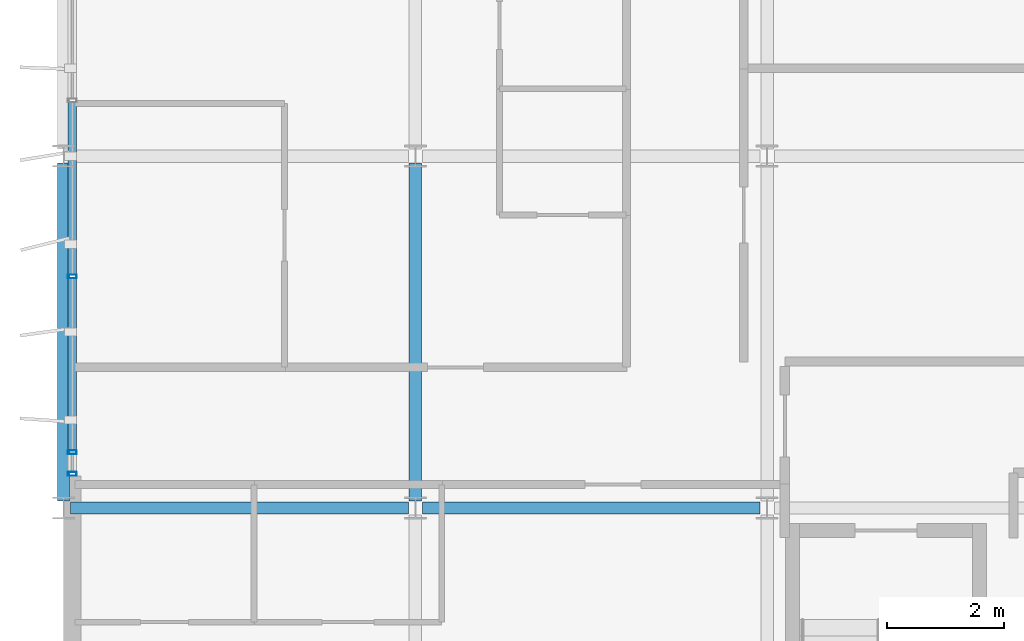
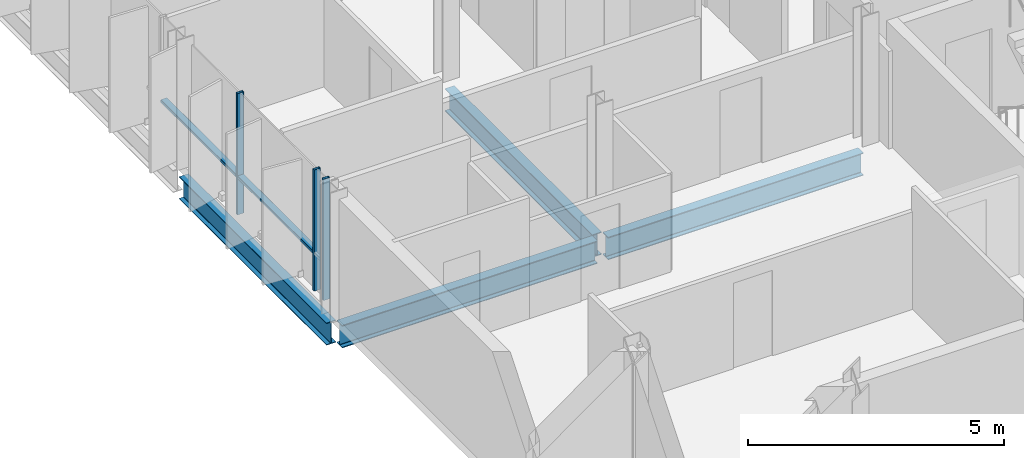
# One storey, part 4 of 30: 5 members, 4 beams, 1 element without a shape of its own.
"""IFC4 building model written with IfcOpenShell, lengths in metres."""

import ifcopenshell
import ifcopenshell.guid

model = None  # the IFC model being written
_history = None  # IfcOwnerHistory: only IFC2X3 demands one
_inside = {}  # id of a spatial element -> (the spatial element, [elements in it])
_under = {}  # id of a project, library or spatial element -> (it, [spatial elements below it])
_declared = {}  # id of a project -> (the project, [libraries it declares])
_typed = {}  # id of a type object -> (the type object, [elements of that type])
_made_of = {}  # id of a material, layer set ... -> (it, [elements and type objects made of it])


def new_model(schema):
    """Start an empty IFC model of exactly this schema.

    Asked for "IFC4X3", IfcOpenShell would pick the latest addendum, in which some entities
    have other attributes; the version numbers below select the first issue.
    IFC2X3 requires an IfcOwnerHistory on every rooted entity: one is made here for all.
    """
    global model, _history
    if schema == "IFC4X3":
        model = ifcopenshell.file(schema_version=(4, 3, 0, 0))
    else:
        model = ifcopenshell.file(schema=schema)
    _inside.clear()
    _under.clear()
    _declared.clear()
    _typed.clear()
    _made_of.clear()
    _history = None
    if model.schema == "IFC2X3":
        org = make("IfcOrganization", Name="unknown")
        user = make(
            "IfcPersonAndOrganization",
            ThePerson=make("IfcPerson", FamilyName="unknown"),
            TheOrganization=org,
        )
        app = make(
            "IfcApplication",
            ApplicationDeveloper=org,
            Version="unknown",
            ApplicationFullName="unknown",
            ApplicationIdentifier="unknown",
        )
        _history = make(
            "IfcOwnerHistory",
            OwningUser=user,
            OwningApplication=app,
            ChangeAction="ADDED",
            CreationDate=0,
        )
    return model


def make(cls, **values):
    """One entity of the class cls with the attributes given. An attribute that is None is left unset."""
    return model.create_entity(
        cls, **{name: value for name, value in values.items() if value is not None}
    )


def rooted(cls, **values):
    """An entity with a GlobalId (a new one), such as an element, a storey or a relation."""
    return make(cls, GlobalId=ifcopenshell.guid.new(), OwnerHistory=_history, **values)


def si_unit(unit_type, name, prefix=None):
    """IfcSIUnit, for example si_unit("LENGTHUNIT", "METRE", prefix="MILLI")."""
    return make("IfcSIUnit", UnitType=unit_type, Prefix=prefix, Name=name)


def assignment(units):
    """IfcUnitAssignment: the units of a project."""
    return None if units is None else make("IfcUnitAssignment", Units=units)


def point(xyz):
    """IfcCartesianPoint."""
    return None if xyz is None else make("IfcCartesianPoint", Coordinates=xyz)


def direction(xyz):
    """IfcDirection."""
    return None if xyz is None else make("IfcDirection", DirectionRatios=xyz)


def frame(location, z_axis=None, x_axis=None):
    """IfcAxis2Placement3D, a coordinate frame: its origin and axes. An axis left out is left unset."""
    return make(
        "IfcAxis2Placement3D",
        Location=point(location),
        Axis=direction(z_axis),
        RefDirection=direction(x_axis),
    )


def frame_2d(location, x_axis=None):
    """IfcAxis2Placement2D, a coordinate frame in the plane: its origin and x axis."""
    return make(
        "IfcAxis2Placement2D", Location=point(location), RefDirection=direction(x_axis)
    )


def origin():
    """The frame at (0, 0, 0) with its axes left unset."""
    return frame((0.0, 0.0, 0.0))


def origin_2d():
    """The frame at (0, 0) in the plane with its x axis left unset."""
    return frame_2d((0.0, 0.0))


def place(relative_to, where):
    """IfcLocalPlacement: puts the frame where relative to a parent placement (None: the world)."""
    return make(
        "IfcLocalPlacement", PlacementRelTo=relative_to, RelativePlacement=where
    )


def context(
    kind, dimensions, precision=None, world=None, true_north=None, identifier=None
):
    """IfcGeometricRepresentationContext, for example the 3D "Model" context."""
    return make(
        "IfcGeometricRepresentationContext",
        ContextIdentifier=identifier,
        ContextType=kind,
        CoordinateSpaceDimension=dimensions,
        Precision=precision,
        WorldCoordinateSystem=world,
        TrueNorth=true_north,
    )


def subcontext(parent, identifier, kind, view, scale=None):
    """IfcGeometricRepresentationSubContext, for example "Body" below "Model"."""
    return make(
        "IfcGeometricRepresentationSubContext",
        ContextIdentifier=identifier,
        ContextType=kind,
        ParentContext=parent,
        TargetScale=scale,
        TargetView=view,
    )


def project(units=None, contexts=None):
    """IfcProject with its units and contexts."""
    return rooted(
        "IfcProject",
        Name="project",
        RepresentationContexts=contexts,
        UnitsInContext=assignment(units),
    )


def spatial(cls, under=None, at=None, **own):
    """A site, building, storey or space (cls), placed at a placement, below another one or the project."""
    s = rooted(cls, ObjectPlacement=at, **own)
    if under is not None:
        _under.setdefault(under.id(), (under, []))[1].append(s)
    return s


def profile(cls, at=None, kind="AREA", **sizes):
    """A parametric profile (cls). Its sizes go by their IFC names, for example OverallWidth=200.0."""
    return make(cls, ProfileType=kind, Position=at, **sizes)


def hollow_rectangle(**sizes):
    """IfcRectangleHollowProfileDef."""
    return profile("IfcRectangleHollowProfileDef", **sizes)


def i_section(**sizes):
    """IfcIShapeProfileDef."""
    return profile("IfcIShapeProfileDef", **sizes)


def extrude(swept, where, along, depth):
    """IfcExtrudedAreaSolid: the profile swept, set in the frame where, extruded along a direction by depth."""
    return make(
        "IfcExtrudedAreaSolid",
        SweptArea=swept,
        Position=where,
        ExtrudedDirection=direction(along),
        Depth=depth,
    )


def shape(context_of_items, identifier, shape_type, items):
    """IfcShapeRepresentation: the items that make up one representation, for example the "Body"."""
    return make(
        "IfcShapeRepresentation",
        ContextOfItems=context_of_items,
        RepresentationIdentifier=identifier,
        RepresentationType=shape_type,
        Items=items,
    )


def material(Name=None, Category=None):
    """IfcMaterial."""
    return make("IfcMaterial", Name=Name, Category=Category)


def layer(
    of_material, thickness, ventilated=None, Name=None, Category=None, Priority=None
):
    """IfcMaterialLayer: one layer of a wall or slab, of a material (None: an air gap)."""
    return make(
        "IfcMaterialLayer",
        Material=of_material,
        LayerThickness=thickness,
        IsVentilated=ventilated,
        Name=Name,
        Category=Category,
        Priority=Priority,
    )


def layer_set(layers, Name=None):
    """IfcMaterialLayerSet."""
    return make("IfcMaterialLayerSet", MaterialLayers=layers, LayerSetName=Name)


def material_profile(
    of_material, cross_section, Name=None, Category=None, Priority=None
):
    """IfcMaterialProfile: a cross section and its material."""
    return make(
        "IfcMaterialProfile",
        Name=Name,
        Material=of_material,
        Profile=cross_section,
        Priority=Priority,
        Category=Category,
    )


def profile_set(profiles, Name=None, composite=None):
    """IfcMaterialProfileSet."""
    return make(
        "IfcMaterialProfileSet",
        Name=Name,
        MaterialProfiles=profiles,
        CompositeProfile=composite,
    )


def made_of(thing, what):
    """Note that an element or type object is made of a material, layer set ...; save() writes the relation."""
    if what is not None:
        _made_of.setdefault(what.id(), (what, []))[1].append(thing)
    return thing


def type_object(cls, material=None, **own):
    """A type object (cls), such as IfcWallType, which elements share."""
    return made_of(rooted(cls, **own), material)


def element(
    cls,
    number,
    at=None,
    inside=None,
    cuts=None,
    type_object=None,
    material=None,
    context=None,
    identifier="Body",
    shape_type=None,
    held_by="IfcProductDefinitionShape",
    body=None,
    shapes=None,
    **own,
):
    """One element of the class cls, such as IfcWall. Its Tag is "e" and its number.

    at: its placement. inside: the storey or other place that contains it. cuts: it is an
    opening in that element (IfcRelVoidsElement). A single representation is given by context,
    identifier, shape_type and body (its items); several are given by shapes. held_by: the class
    of the entity that holds the representations. save() writes the other relations.
    """
    e = rooted(cls, Tag="e%d" % number, ObjectPlacement=at, **own)
    if body is not None:
        shapes = [shape(context, identifier, shape_type, body)]
    if shapes is not None:
        e.Representation = make(held_by, Representations=shapes)
    if inside is not None:
        _inside.setdefault(inside.id(), (inside, []))[1].append(e)
    if cuts is not None:
        rooted(
            "IfcRelVoidsElement", RelatingBuildingElement=cuts, RelatedOpeningElement=e
        )
    if type_object is not None:
        _typed.setdefault(type_object.id(), (type_object, []))[1].append(e)
    return made_of(e, material)


def aggregate(whole, parts):
    """IfcRelAggregates: a whole, such as a stair, and the parts it consists of."""
    return rooted("IfcRelAggregates", RelatingObject=whole, RelatedObjects=parts)


def save(model, path):
    """Write the relations noted so far, then the file.

    IfcRelAggregates (storeys below a building ...), IfcRelContainedInSpatialStructure (elements
    in a storey), IfcRelDefinesByType, IfcRelAssociatesMaterial and IfcRelDeclares: one each for
    every whole, place, type object, material and project.
    """
    for whole, parts in _under.values():
        aggregate(whole, parts)
    for where, things in _inside.values():
        rooted(
            "IfcRelContainedInSpatialStructure",
            RelatedElements=things,
            RelatingStructure=where,
        )
    for kind, things in _typed.values():
        rooted("IfcRelDefinesByType", RelatedObjects=things, RelatingType=kind)
    for what, things in _made_of.values():
        rooted("IfcRelAssociatesMaterial", RelatedObjects=things, RelatingMaterial=what)
    for by, libraries in _declared.values():
        rooted("IfcRelDeclares", RelatingContext=by, RelatedDefinitions=libraries)
    model.write(path)


model = new_model("IFC4")

# Units and contexts
model_context = context("Model", 3, precision=1e-05, world=origin(), true_north=direction((0.0, 1.0)))
body_context = subcontext(model_context, "Body", "Model", "MODEL_VIEW")
ifc_project = project(units=[si_unit("LENGTHUNIT", "METRE"), si_unit("AREAUNIT", "SQUARE_METRE"), si_unit("VOLUMEUNIT", "CUBIC_METRE"), si_unit("PLANEANGLEUNIT", "RADIAN"), si_unit("MASSUNIT", "GRAM", prefix="KILO")], contexts=[model_context])

# Site, building, storey
site_placement = place(None, origin())
site = spatial("IfcSite", under=ifc_project, at=site_placement, CompositionType="ELEMENT")
building_placement = place(site_placement, origin())
building = spatial("IfcBuilding", under=site, at=building_placement, Name="Brevholm Reach", CompositionType="ELEMENT")
storey_placement = place(building_placement, frame((0.0, 0.0, 204.89990234375)))
storey = spatial("IfcBuildingStorey", under=building, at=storey_placement, Name="L62", CompositionType="ELEMENT", Elevation=204.89990234375)

# Beams
ifc_material_1 = material(Name="Structural Steel S355J2", Category="steel")
ifc_material_profile_1 = material_profile(ifc_material_1, i_section(OverallWidth=0.209228515625, OverallDepth=0.533203125, WebThickness=0.010009765625, FlangeThickness=0.015625, FilletRadius=0.0126953125, at=origin_2d()), Name="UKB 533x210x92")
ifc_profile_set_1 = profile_set([ifc_material_profile_1], Name="Structural Steel S355J2")
beam_type_1 = type_object("IfcBeamType", Name="BM-SP533", PredefinedType="SPANDREL", material=ifc_profile_set_1)
beam_placement = place(storey_placement, frame((0.0, 10.1201171875, -0.4765625), z_axis=(0.0, 1.0, 0.0), x_axis=(-1.0, 0.0, 0.0)))
element("IfcBeam", 1, at=beam_placement, inside=storey, type_object=beam_type_1, Name="L62 SP-02 Framing Beam", PredefinedType="SPANDREL", context=body_context, shape_type="SweptSolid", body=[
    extrude(i_section(OverallWidth=0.209228515625, OverallDepth=0.533203125, WebThickness=0.010009765625, FlangeThickness=0.015625, FilletRadius=0.0126953125, at=origin_2d()), origin(), (0.0, 0.0, 1.0), 5.759765625),
])
ifc_material_2 = material(Name="Structural Steel S355J2", Category="steel")
ifc_material_profile_2 = material_profile(ifc_material_2, i_section(OverallWidth=0.210693359375, OverallDepth=0.53955078125, WebThickness=0.01171875, FlangeThickness=0.018798828125, FilletRadius=0.0126953125, at=origin_2d()), Name="UKB 533x210x109")
ifc_profile_set_2 = profile_set([ifc_material_profile_2], Name="Structural Steel S355J2")
beam_type_2 = type_object("IfcBeamType", Name="BM-SP539", PredefinedType="SPANDREL", material=ifc_profile_set_2)
for number, where, z_axis, x_axis, name in (
    (2, (0.1201171875, 10.0, -0.479736328125), (1.0, 0.0, 0.0), (0.0, 1.0, 0.0), "L62 SP-01B Framing Beam"),
    (3, (6.1201171875, 10.0, -0.479736328125), (1.0, 0.0, 0.0), (0.0, 1.0, 0.0), "L62 SP-01B Framing Beam"),
    (4, (6.0, 10.1201171875, -0.479736328125), (0.0, 1.0, 0.0), (-1.0, 0.0, 0.0), "L62 SP-01B Framing Beam"),
):
    element("IfcBeam", number, at=place(storey_placement, frame(where, z_axis=z_axis, x_axis=x_axis)), inside=storey, type_object=beam_type_2, Name=name, PredefinedType="SPANDREL", context=body_context, shape_type="SweptSolid", body=[
        extrude(i_section(OverallWidth=0.210693359375, OverallDepth=0.53955078125, WebThickness=0.01171875, FlangeThickness=0.018798828125, FilletRadius=0.0126953125, at=origin_2d()), origin(), (0.0, 0.0, 1.0), 5.759765625),
    ])

# Curtain wall, members
ifc_material_3 = material(Name="Dark Anodised Aluminium 6063-T6 and Solar-Control Glass", Category="aluminium")
ifc_layer = layer(ifc_material_3, 0.14990234375)
ifc_layer_set = layer_set([ifc_layer], Name="Dark Anodised Aluminium 6063-T6 and Solar-Control Glass")
curtain_wall_type = type_object("IfcCurtainWallType", Name="CW-01", PredefinedType="NOTDEFINED", material=ifc_layer_set)
curtain_wall_placement = place(storey_placement, origin())
curtain_wall = element("IfcCurtainWall", 5, at=curtain_wall_placement, inside=storey, type_object=curtain_wall_type, Name="L62 Curtain Wall CW-01", PredefinedType="NOTDEFINED")
ifc_material_4 = material(Name="Dark Anodised Aluminium 6063-T6", Category="aluminium")
ifc_material_profile_3 = material_profile(ifc_material_4, hollow_rectangle(XDim=0.06494140625, YDim=0.14990234375, WallThickness=0.0048828125, InnerFilletRadius=0.0048828125, OuterFilletRadius=0.010009765625, at=origin_2d()), Name="RHS 150x65x5")
ifc_profile_set_3 = profile_set([ifc_material_profile_3], Name="Dark Anodised Aluminium 6063-T6")
member_type_1 = type_object("IfcMemberType", Name="CWM-150", PredefinedType="MULLION", material=ifc_profile_set_3)
member_1_placement = place(storey_placement, frame((0.14990234375, 13.949951171875, 0.0), z_axis=(0.0, 0.0, 1.0), x_axis=(0.0, -1.0, 0.0)))
member_1 = element("IfcMember", 6, at=member_1_placement, type_object=member_type_1, Name="CM-150 Mullion 4", PredefinedType="MULLION", context=body_context, shape_type="SweptSolid", body=[
    extrude(hollow_rectangle(XDim=0.06494140625, YDim=0.14990234375, WallThickness=0.0048828125, InnerFilletRadius=0.0048828125, OuterFilletRadius=0.010009765625, at=origin_2d()), origin(), (0.0, 0.0, 1.0), 2.89013671875),
])
member_2_placement = place(storey_placement, frame((0.14990234375, 10.949951171875, 0.0), z_axis=(0.0, 0.0, 1.0), x_axis=(0.0, -1.0, 0.0)))
member_2 = element("IfcMember", 7, at=member_2_placement, type_object=member_type_1, Name="CM-150 Mullion 5", PredefinedType="MULLION", context=body_context, shape_type="SweptSolid", body=[
    extrude(hollow_rectangle(XDim=0.06494140625, YDim=0.14990234375, WallThickness=0.0048828125, InnerFilletRadius=0.0048828125, OuterFilletRadius=0.010009765625, at=origin_2d()), origin(), (0.0, 0.0, 1.0), 2.89013671875),
])
member_3_placement = place(storey_placement, frame((0.14990234375, 10.58251953125, 0.0), z_axis=(0.0, 0.0, 1.0), x_axis=(0.0, -1.0, 0.0)))
member_3 = element("IfcMember", 8, at=member_3_placement, type_object=member_type_1, Name="CM-150 Mullion 6", PredefinedType="MULLION", context=body_context, shape_type="SweptSolid", body=[
    extrude(hollow_rectangle(XDim=0.06494140625, YDim=0.14990234375, WallThickness=0.0048828125, InnerFilletRadius=0.0048828125, OuterFilletRadius=0.010009765625, at=origin_2d()), origin(), (0.0, 0.0, 1.0), 2.89013671875),
])
ifc_material_5 = material(Name="Dark Anodised Aluminium 6063-T6", Category="aluminium")
ifc_material_profile_4 = material_profile(ifc_material_5, hollow_rectangle(XDim=0.06494140625, YDim=0.14990234375, WallThickness=0.0048828125, InnerFilletRadius=0.0048828125, OuterFilletRadius=0.010009765625, at=origin_2d()), Name="RHS 150x65x5")
ifc_profile_set_4 = profile_set([ifc_material_profile_4], Name="Dark Anodised Aluminium 6063-T6")
member_type_2 = type_object("IfcMemberType", Name="CWT-150", PredefinedType="NOTDEFINED", material=ifc_profile_set_4)
member_4_placement = place(storey_placement, frame((0.14990234375, 16.91748046875, 0.900146484375), z_axis=(0.0, -1.0, 0.0), x_axis=(0.0, 0.0, 1.0)))
member_4 = element("IfcMember", 9, at=member_4_placement, type_object=member_type_2, Name="CT-150 Transom 3.1", ObjectType="TRANSOM", PredefinedType="USERDEFINED", context=body_context, shape_type="SweptSolid", body=[
    extrude(hollow_rectangle(XDim=0.06494140625, YDim=0.14990234375, WallThickness=0.0048828125, InnerFilletRadius=0.0048828125, OuterFilletRadius=0.010009765625, at=origin_2d()), origin(), (0.0, 0.0, 1.0), 2.93505859375),
])
member_5_placement = place(storey_placement, frame((0.14990234375, 13.91748046875, 0.900146484375), z_axis=(0.0, -1.0, 0.0), x_axis=(0.0, 0.0, 1.0)))
member_5 = element("IfcMember", 10, at=member_5_placement, type_object=member_type_2, Name="CT-150 Transom 4.1", ObjectType="TRANSOM", PredefinedType="USERDEFINED", context=body_context, shape_type="SweptSolid", body=[
    extrude(hollow_rectangle(XDim=0.06494140625, YDim=0.14990234375, WallThickness=0.0048828125, InnerFilletRadius=0.0048828125, OuterFilletRadius=0.010009765625, at=origin_2d()), origin(), (0.0, 0.0, 1.0), 2.93505859375),
])
aggregate(curtain_wall, [member_1, member_2, member_3, member_4, member_5])

save(model, "model.ifc")
